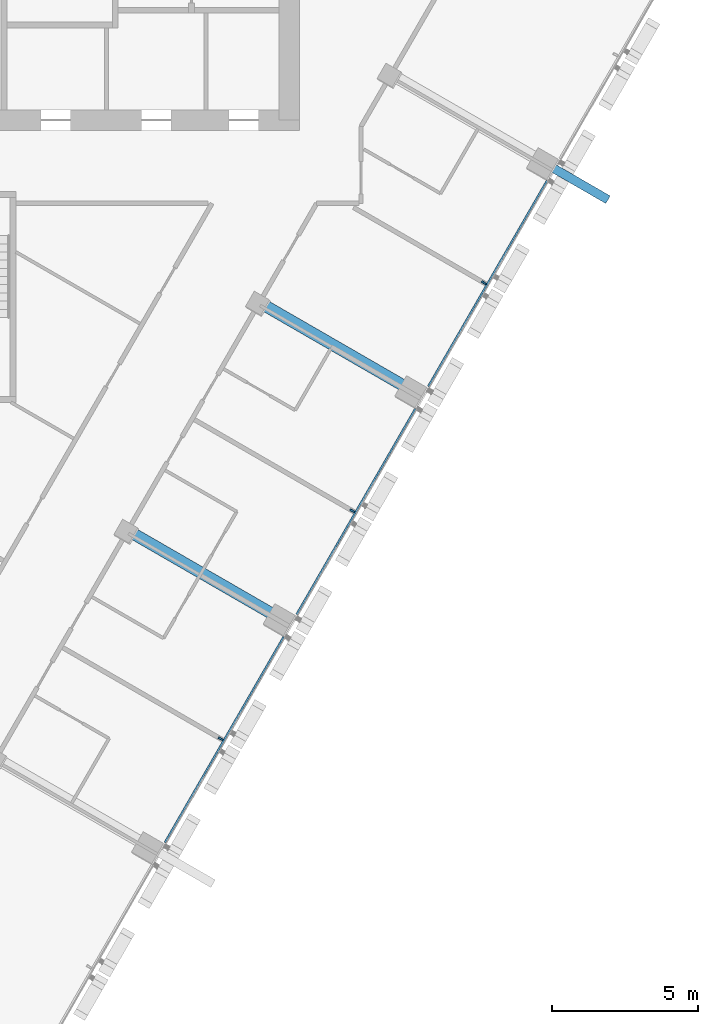
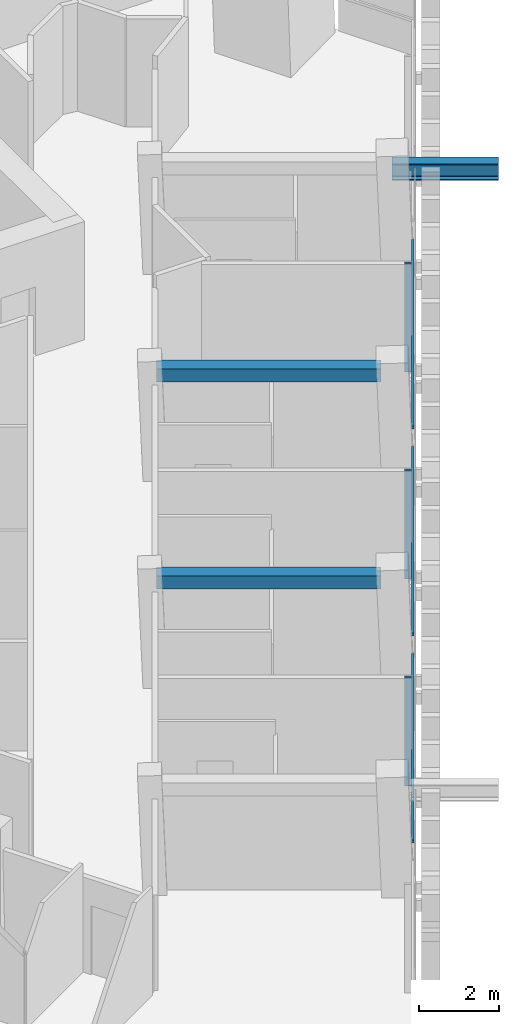
# One storey, part 4 of 15: 7 members, 2 beams, 1 element without a shape of its own.
"""IFC4 building model written with IfcOpenShell, lengths in metres."""

import ifcopenshell
import ifcopenshell.guid

model = None  # the IFC model being written
_history = None  # IfcOwnerHistory: only IFC2X3 demands one
_inside = {}  # id of a spatial element -> (the spatial element, [elements in it])
_under = {}  # id of a project, library or spatial element -> (it, [spatial elements below it])
_declared = {}  # id of a project -> (the project, [libraries it declares])
_typed = {}  # id of a type object -> (the type object, [elements of that type])
_made_of = {}  # id of a material, layer set ... -> (it, [elements and type objects made of it])


def new_model(schema):
    """Start an empty IFC model of exactly this schema.

    Asked for "IFC4X3", IfcOpenShell would pick the latest addendum, in which some entities
    have other attributes; the version numbers below select the first issue.
    IFC2X3 requires an IfcOwnerHistory on every rooted entity: one is made here for all.
    """
    global model, _history
    if schema == "IFC4X3":
        model = ifcopenshell.file(schema_version=(4, 3, 0, 0))
    else:
        model = ifcopenshell.file(schema=schema)
    _inside.clear()
    _under.clear()
    _declared.clear()
    _typed.clear()
    _made_of.clear()
    _history = None
    if model.schema == "IFC2X3":
        org = make("IfcOrganization", Name="unknown")
        user = make(
            "IfcPersonAndOrganization",
            ThePerson=make("IfcPerson", FamilyName="unknown"),
            TheOrganization=org,
        )
        app = make(
            "IfcApplication",
            ApplicationDeveloper=org,
            Version="unknown",
            ApplicationFullName="unknown",
            ApplicationIdentifier="unknown",
        )
        _history = make(
            "IfcOwnerHistory",
            OwningUser=user,
            OwningApplication=app,
            ChangeAction="ADDED",
            CreationDate=0,
        )
    return model


def make(cls, **values):
    """One entity of the class cls with the attributes given. An attribute that is None is left unset."""
    return model.create_entity(
        cls, **{name: value for name, value in values.items() if value is not None}
    )


def rooted(cls, **values):
    """An entity with a GlobalId (a new one), such as an element, a storey or a relation."""
    return make(cls, GlobalId=ifcopenshell.guid.new(), OwnerHistory=_history, **values)


def si_unit(unit_type, name, prefix=None):
    """IfcSIUnit, for example si_unit("LENGTHUNIT", "METRE", prefix="MILLI")."""
    return make("IfcSIUnit", UnitType=unit_type, Prefix=prefix, Name=name)


def assignment(units):
    """IfcUnitAssignment: the units of a project."""
    return None if units is None else make("IfcUnitAssignment", Units=units)


def point(xyz):
    """IfcCartesianPoint."""
    return None if xyz is None else make("IfcCartesianPoint", Coordinates=xyz)


def direction(xyz):
    """IfcDirection."""
    return None if xyz is None else make("IfcDirection", DirectionRatios=xyz)


def frame(location, z_axis=None, x_axis=None):
    """IfcAxis2Placement3D, a coordinate frame: its origin and axes. An axis left out is left unset."""
    return make(
        "IfcAxis2Placement3D",
        Location=point(location),
        Axis=direction(z_axis),
        RefDirection=direction(x_axis),
    )


def frame_2d(location, x_axis=None):
    """IfcAxis2Placement2D, a coordinate frame in the plane: its origin and x axis."""
    return make(
        "IfcAxis2Placement2D", Location=point(location), RefDirection=direction(x_axis)
    )


def origin():
    """The frame at (0, 0, 0) with its axes left unset."""
    return frame((0.0, 0.0, 0.0))


def origin_2d():
    """The frame at (0, 0) in the plane with its x axis left unset."""
    return frame_2d((0.0, 0.0))


def place(relative_to, where):
    """IfcLocalPlacement: puts the frame where relative to a parent placement (None: the world)."""
    return make(
        "IfcLocalPlacement", PlacementRelTo=relative_to, RelativePlacement=where
    )


def context(
    kind, dimensions, precision=None, world=None, true_north=None, identifier=None
):
    """IfcGeometricRepresentationContext, for example the 3D "Model" context."""
    return make(
        "IfcGeometricRepresentationContext",
        ContextIdentifier=identifier,
        ContextType=kind,
        CoordinateSpaceDimension=dimensions,
        Precision=precision,
        WorldCoordinateSystem=world,
        TrueNorth=true_north,
    )


def subcontext(parent, identifier, kind, view, scale=None):
    """IfcGeometricRepresentationSubContext, for example "Body" below "Model"."""
    return make(
        "IfcGeometricRepresentationSubContext",
        ContextIdentifier=identifier,
        ContextType=kind,
        ParentContext=parent,
        TargetScale=scale,
        TargetView=view,
    )


def project(units=None, contexts=None):
    """IfcProject with its units and contexts."""
    return rooted(
        "IfcProject",
        Name="project",
        RepresentationContexts=contexts,
        UnitsInContext=assignment(units),
    )


def spatial(cls, under=None, at=None, **own):
    """A site, building, storey or space (cls), placed at a placement, below another one or the project."""
    s = rooted(cls, ObjectPlacement=at, **own)
    if under is not None:
        _under.setdefault(under.id(), (under, []))[1].append(s)
    return s


def profile(cls, at=None, kind="AREA", **sizes):
    """A parametric profile (cls). Its sizes go by their IFC names, for example OverallWidth=200.0."""
    return make(cls, ProfileType=kind, Position=at, **sizes)


def rectangle(**sizes):
    """IfcRectangleProfileDef."""
    return profile("IfcRectangleProfileDef", **sizes)


def i_section(**sizes):
    """IfcIShapeProfileDef."""
    return profile("IfcIShapeProfileDef", **sizes)


def extrude(swept, where, along, depth):
    """IfcExtrudedAreaSolid: the profile swept, set in the frame where, extruded along a direction by depth."""
    return make(
        "IfcExtrudedAreaSolid",
        SweptArea=swept,
        Position=where,
        ExtrudedDirection=direction(along),
        Depth=depth,
    )


def shape(context_of_items, identifier, shape_type, items):
    """IfcShapeRepresentation: the items that make up one representation, for example the "Body"."""
    return make(
        "IfcShapeRepresentation",
        ContextOfItems=context_of_items,
        RepresentationIdentifier=identifier,
        RepresentationType=shape_type,
        Items=items,
    )


def material(Name=None, Category=None):
    """IfcMaterial."""
    return make("IfcMaterial", Name=Name, Category=Category)


def layer(
    of_material, thickness, ventilated=None, Name=None, Category=None, Priority=None
):
    """IfcMaterialLayer: one layer of a wall or slab, of a material (None: an air gap)."""
    return make(
        "IfcMaterialLayer",
        Material=of_material,
        LayerThickness=thickness,
        IsVentilated=ventilated,
        Name=Name,
        Category=Category,
        Priority=Priority,
    )


def layer_set(layers, Name=None):
    """IfcMaterialLayerSet."""
    return make("IfcMaterialLayerSet", MaterialLayers=layers, LayerSetName=Name)


def material_profile(
    of_material, cross_section, Name=None, Category=None, Priority=None
):
    """IfcMaterialProfile: a cross section and its material."""
    return make(
        "IfcMaterialProfile",
        Name=Name,
        Material=of_material,
        Profile=cross_section,
        Priority=Priority,
        Category=Category,
    )


def profile_set(profiles, Name=None, composite=None):
    """IfcMaterialProfileSet."""
    return make(
        "IfcMaterialProfileSet",
        Name=Name,
        MaterialProfiles=profiles,
        CompositeProfile=composite,
    )


def made_of(thing, what):
    """Note that an element or type object is made of a material, layer set ...; save() writes the relation."""
    if what is not None:
        _made_of.setdefault(what.id(), (what, []))[1].append(thing)
    return thing


def type_object(cls, material=None, **own):
    """A type object (cls), such as IfcWallType, which elements share."""
    return made_of(rooted(cls, **own), material)


def element(
    cls,
    number,
    at=None,
    inside=None,
    cuts=None,
    type_object=None,
    material=None,
    context=None,
    identifier="Body",
    shape_type=None,
    held_by="IfcProductDefinitionShape",
    body=None,
    shapes=None,
    **own,
):
    """One element of the class cls, such as IfcWall. Its Tag is "e" and its number.

    at: its placement. inside: the storey or other place that contains it. cuts: it is an
    opening in that element (IfcRelVoidsElement). A single representation is given by context,
    identifier, shape_type and body (its items); several are given by shapes. held_by: the class
    of the entity that holds the representations. save() writes the other relations.
    """
    e = rooted(cls, Tag="e%d" % number, ObjectPlacement=at, **own)
    if body is not None:
        shapes = [shape(context, identifier, shape_type, body)]
    if shapes is not None:
        e.Representation = make(held_by, Representations=shapes)
    if inside is not None:
        _inside.setdefault(inside.id(), (inside, []))[1].append(e)
    if cuts is not None:
        rooted(
            "IfcRelVoidsElement", RelatingBuildingElement=cuts, RelatedOpeningElement=e
        )
    if type_object is not None:
        _typed.setdefault(type_object.id(), (type_object, []))[1].append(e)
    return made_of(e, material)


def aggregate(whole, parts):
    """IfcRelAggregates: a whole, such as a stair, and the parts it consists of."""
    return rooted("IfcRelAggregates", RelatingObject=whole, RelatedObjects=parts)


def save(model, path):
    """Write the relations noted so far, then the file.

    IfcRelAggregates (storeys below a building ...), IfcRelContainedInSpatialStructure (elements
    in a storey), IfcRelDefinesByType, IfcRelAssociatesMaterial and IfcRelDeclares: one each for
    every whole, place, type object, material and project.
    """
    for whole, parts in _under.values():
        aggregate(whole, parts)
    for where, things in _inside.values():
        rooted(
            "IfcRelContainedInSpatialStructure",
            RelatedElements=things,
            RelatingStructure=where,
        )
    for kind, things in _typed.values():
        rooted("IfcRelDefinesByType", RelatedObjects=things, RelatingType=kind)
    for what, things in _made_of.values():
        rooted("IfcRelAssociatesMaterial", RelatedObjects=things, RelatingMaterial=what)
    for by, libraries in _declared.values():
        rooted("IfcRelDeclares", RelatingContext=by, RelatedDefinitions=libraries)
    model.write(path)


model = new_model("IFC4")

# Units and contexts
model_context = context("Model", 3, precision=1e-05, world=origin(), true_north=direction((0.0, 1.0)))
body_context = subcontext(model_context, "Body", "Model", "MODEL_VIEW")
ifc_project = project(units=[si_unit("LENGTHUNIT", "METRE"), si_unit("AREAUNIT", "SQUARE_METRE"), si_unit("VOLUMEUNIT", "CUBIC_METRE"), si_unit("PLANEANGLEUNIT", "RADIAN"), si_unit("MASSUNIT", "GRAM", prefix="KILO")], contexts=[model_context])

# Site, building, storey
site_placement = place(None, origin())
site = spatial("IfcSite", under=ifc_project, at=site_placement, CompositionType="ELEMENT")
building_placement = place(site_placement, origin())
building = spatial("IfcBuilding", under=site, at=building_placement, Name="Altiplano Prism Tower", CompositionType="ELEMENT")
storey_placement = place(building_placement, frame((0.0, 0.0, 185.39990234375)))
storey = spatial("IfcBuildingStorey", under=building, at=storey_placement, Name="L48", CompositionType="ELEMENT", Elevation=185.39990234375)

# Member
ifc_material_1 = material(Name="Steel S355", Category="steel")
ifc_material_profile_1 = material_profile(ifc_material_1, i_section(OverallWidth=0.300048828125, OverallDepth=0.5, WebThickness=0.014404296875, FlangeThickness=0.028076171875, FilletRadius=0.027099609375, at=origin_2d()), Name="Brace bracket HEB 500")
ifc_profile_set_1 = profile_set([ifc_material_profile_1], Name="Steel S355")
member_type_1 = type_object("IfcMemberType", Name="Brace bracket HEB 500", PredefinedType="STRUT", material=ifc_profile_set_1)
member_1_placement = place(storey_placement, frame((105.947265625, 91.65087890625, 2.9501953125), z_axis=(0.866029095148, -0.499993606316, 0.0), x_axis=(0.499993606316, 0.866029095148, 0.0)))
element("IfcMember", 1, at=member_1_placement, inside=storey, type_object=member_type_1, Name="Brace bracket 2.189", PredefinedType="STRUT", context=body_context, shape_type="SweptSolid", body=[
    extrude(i_section(OverallWidth=0.300048828125, OverallDepth=0.5, WebThickness=0.014404296875, FlangeThickness=0.028076171875, FilletRadius=0.027099609375, at=origin_2d()), origin(), (0.0, 0.0, 1.0), 2.64990234375),
])

# Curtain wall, members
ifc_material_2 = material(Name="Aluminium and glass", Category="aluminium")
ifc_layer = layer(ifc_material_2, 0.280029296875)
ifc_layer_set = layer_set([ifc_layer], Name="Aluminium and glass")
curtain_wall_type = type_object("IfcCurtainWallType", Name="CW1 typical co-living unitised curtain wall", PredefinedType="NOTDEFINED", material=ifc_layer_set)
curtain_wall_placement = place(storey_placement, origin())
curtain_wall = element("IfcCurtainWall", 2, at=curtain_wall_placement, inside=storey, type_object=curtain_wall_type, Name="CW1 curtain wall south-east face L48", PredefinedType="NOTDEFINED")
ifc_material_3 = material(Name="Aluminium", Category="aluminium")
ifc_material_profile_2 = material_profile(ifc_material_3, rectangle(XDim=0.179931640625, YDim=0.06494140625, at=origin_2d()), Name="CW1 mullion 65 x 180")
ifc_profile_set_2 = profile_set([ifc_material_profile_2], Name="Aluminium")
member_type_2 = type_object("IfcMemberType", Name="CW1 mullion 65 x 180", PredefinedType="MULLION", material=ifc_profile_set_2)
member_2_placement = place(storey_placement, frame((95.00244140625, 71.896728515625, 0.0), z_axis=(0.0, 0.0, 1.0), x_axis=(-0.866025407999, 0.499999992699, 0.0)))
member_2 = element("IfcMember", 3, at=member_2_placement, type_object=member_type_2, Name="CW1 mullion", PredefinedType="MULLION", context=body_context, shape_type="SweptSolid", body=[
    extrude(rectangle(XDim=0.179931640625, YDim=0.06494140625, at=origin_2d()), origin(), (0.0, 0.0, 1.0), 3.300048828125),
])
member_3_placement = place(storey_placement, frame((99.50244140625, 79.69091796875, 0.0), z_axis=(0.0, 0.0, 1.0), x_axis=(-0.866025407999, 0.499999992699, 0.0)))
member_3 = element("IfcMember", 4, at=member_3_placement, type_object=member_type_2, Name="CW1 mullion", PredefinedType="MULLION", context=body_context, shape_type="SweptSolid", body=[
    extrude(rectangle(XDim=0.179931640625, YDim=0.06494140625, at=origin_2d()), origin(), (0.0, 0.0, 1.0), 3.300048828125),
])
member_4_placement = place(storey_placement, frame((104.00244140625, 87.4853515625, 0.0), z_axis=(0.0, 0.0, 1.0), x_axis=(-0.866025407999, 0.499999992699, 0.0)))
member_4 = element("IfcMember", 5, at=member_4_placement, type_object=member_type_2, Name="CW1 mullion", PredefinedType="MULLION", context=body_context, shape_type="SweptSolid", body=[
    extrude(rectangle(XDim=0.179931640625, YDim=0.06494140625, at=origin_2d()), origin(), (0.0, 0.0, 1.0), 3.300048828125),
])
ifc_material_profile_3 = material_profile(ifc_material_3, rectangle(XDim=0.06005859375, YDim=0.080078125, at=origin_2d()), Name="CW1 transom 80 x 60")
ifc_profile_set_3 = profile_set([ifc_material_profile_3], Name="Aluminium")
member_type_3 = type_object("IfcMemberType", Name="CW1 transom 80 x 60", PredefinedType="USERDEFINED", material=ifc_profile_set_3)
member_5_placement = place(storey_placement, frame((93.096435546875, 68.35546875, 1.10009765625), z_axis=(0.499994021373, 0.866028855519, 0.0), x_axis=(-0.866028855519, 0.499994021373, 0.0)))
member_5 = element("IfcMember", 6, at=member_5_placement, type_object=member_type_3, Name="CW1 transom", ObjectType="TRANSOM", PredefinedType="USERDEFINED", context=body_context, shape_type="SweptSolid", body=[
    extrude(rectangle(XDim=0.06005859375, YDim=0.080078125, at=origin_2d()), origin(), (0.0, 0.0, 1.0), 8.119140625),
])
member_6_placement = place(storey_placement, frame((97.596435546875, 76.149658203125, 1.10009765625), z_axis=(0.499994021373, 0.866028855519, 0.0), x_axis=(-0.866028855519, 0.499994021373, 0.0)))
member_6 = element("IfcMember", 7, at=member_6_placement, type_object=member_type_3, Name="CW1 transom", ObjectType="TRANSOM", PredefinedType="USERDEFINED", context=body_context, shape_type="SweptSolid", body=[
    extrude(rectangle(XDim=0.06005859375, YDim=0.080078125, at=origin_2d()), origin(), (0.0, 0.0, 1.0), 8.119140625),
])
member_7_placement = place(storey_placement, frame((102.096435546875, 83.94384765625, 1.10009765625), z_axis=(0.499994021373, 0.866028855519, 0.0), x_axis=(-0.866028855519, 0.499994021373, 0.0)))
member_7 = element("IfcMember", 8, at=member_7_placement, type_object=member_type_3, Name="CW1 transom", ObjectType="TRANSOM", PredefinedType="USERDEFINED", context=body_context, shape_type="SweptSolid", body=[
    extrude(rectangle(XDim=0.06005859375, YDim=0.080078125, at=origin_2d()), origin(), (0.0, 0.0, 1.0), 8.119140625),
])
aggregate(curtain_wall, [member_2, member_5, member_3, member_6, member_4, member_7])

# Beams
ifc_material_4 = material(Name="Concrete C60/75", Category="concrete")
ifc_material_profile_4 = material_profile(ifc_material_4, rectangle(XDim=0.39990234375, YDim=0.39990234375, at=origin_2d()), Name="Tie beam 400x400")
ifc_profile_set_4 = profile_set([ifc_material_profile_4], Name="Concrete C60/75")
beam_type = type_object("IfcBeamType", Name="Tie beam 400x400", PredefinedType="BEAM", material=ifc_profile_set_4)
for number, where, z_axis, x_axis, name in (
    (9, (91.86376953125, 78.99755859375, 3.10009765625), (0.866011758658, -0.500023633308, 0.0), (0.500023633308, 0.866011758658, 0.0), "Tie beam I22 L49"),
    (10, (96.36376953125, 86.791748046875, 3.10009765625), (0.866011758658, -0.500023633308, 0.0), (0.500023633308, 0.866011758658, 0.0), "Tie beam I23 L49"),
):
    element("IfcBeam", number, at=place(storey_placement, frame(where, z_axis=z_axis, x_axis=x_axis)), inside=storey, type_object=beam_type, Name=name, PredefinedType="BEAM", context=body_context, shape_type="SweptSolid", body=[
        extrude(rectangle(XDim=0.39990234375, YDim=0.39990234375, at=origin_2d()), origin(), (0.0, 0.0, 1.0), 5.590087890625),
    ])

save(model, "model.ifc")
